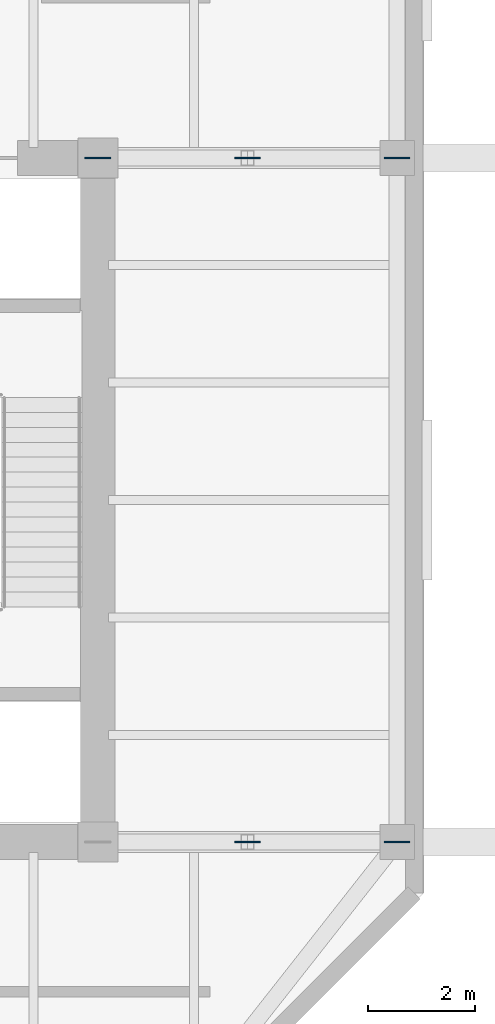
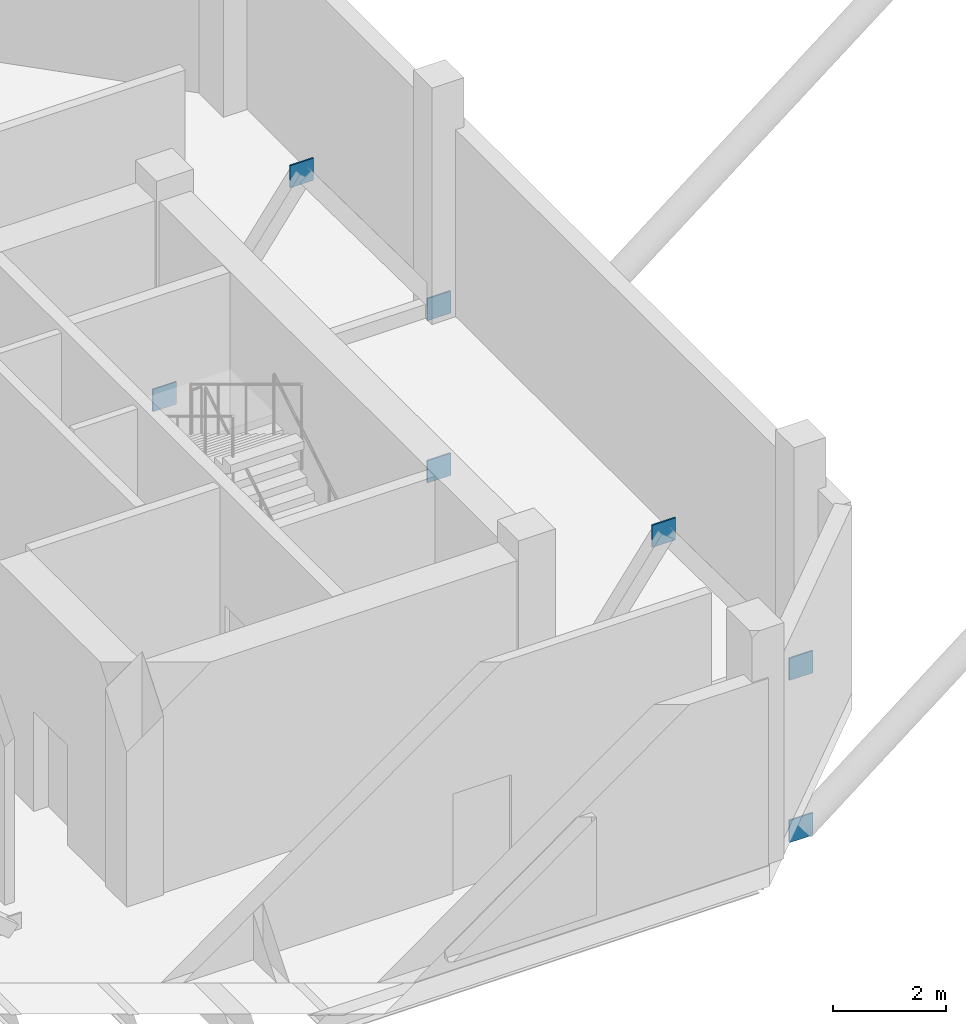
# One storey, part 4 of 9: 7 plates.
"""IFC4 building model written with IfcOpenShell, lengths in metres."""

from ifc_helpers import new_model, si_unit, direction, frame, origin, origin_2d, place, context, subcontext, project, spatial, rectangle, extrude, material, layer, layer_set, type_object, element, save


model = new_model("IFC4")

# Units and contexts
model_context = context("Model", 3, precision=1e-05, world=origin(), true_north=direction((0.0, 1.0)))
body_context = subcontext(model_context, "Body", "Model", "MODEL_VIEW")
ifc_project = project(units=[si_unit("LENGTHUNIT", "METRE"), si_unit("AREAUNIT", "SQUARE_METRE"), si_unit("VOLUMEUNIT", "CUBIC_METRE"), si_unit("PLANEANGLEUNIT", "RADIAN"), si_unit("MASSUNIT", "GRAM", prefix="KILO")], contexts=[model_context])

# Site, building, storey
site_placement = place(None, origin())
site = spatial("IfcSite", under=ifc_project, at=site_placement, CompositionType="ELEMENT")
building_placement = place(site_placement, origin())
building = spatial("IfcBuilding", under=site, at=building_placement, Name="Kranthara Brick Stack", CompositionType="ELEMENT")
storey_placement = place(building_placement, frame((0.0, 0.0, 282.300048828125)))
storey = spatial("IfcBuildingStorey", under=building, at=storey_placement, Name="L75", CompositionType="ELEMENT", Elevation=282.300048828125)

# Plates
ifc_material = material(Name="Steel S355", Category="steel")
ifc_layer = layer(ifc_material, 0.030029296875)
ifc_layer_set = layer_set([ifc_layer], Name="Steel S355")
plate_type = type_object("IfcPlateType", Name="PLT-GUSSET-30", PredefinedType="USERDEFINED", material=ifc_layer_set)
for number, where, z_axis, x_axis, name in (
    (1, (48.800048828125, 20.800048828125, -3.64013671875), (0.0, 0.0, 1.0), (1.0, 0.0, 0.0), "L75 Brace and Strut End Connection Gusset Plate 131"),
    (2, (48.800048828125, 33.60009765625, -3.64013671875), (0.0, 0.0, 1.0), (1.0, 0.0, 0.0), "L75 Brace and Strut End Connection Gusset Plate 132"),
    (3, (46.0, 20.800048828125, 3.7099609375), (0.0, 0.0, 1.0), (1.0, 0.0, 0.0), "L75 Brace and Strut End Connection Gusset Plate 185"),
    (4, (43.199951171875, 33.60009765625, -0.14013671875), (0.0, 0.0, 1.0), (1.0, 0.0, 0.0), "L75 Brace and Strut End Connection Gusset Plate 186"),
    (5, (46.0, 33.60009765625, 3.7099609375), (0.0, 0.0, 1.0), (1.0, 0.0, 0.0), "L75 Brace and Strut End Connection Gusset Plate 187"),
    (6, (48.800048828125, 20.800048828125, -0.14013671875), (0.0, 0.0, 1.0), (1.0, 0.0, 0.0), "L75 Brace and Strut End Connection Gusset Plate 190"),
    (7, (48.800048828125, 33.60009765625, -0.14013671875), (0.0, 0.0, 1.0), (1.0, 0.0, 0.0), "L75 Brace and Strut End Connection Gusset Plate 191"),
):
    element("IfcPlate", number, at=place(storey_placement, frame(where, z_axis=z_axis, x_axis=x_axis)), inside=storey, type_object=plate_type, Name=name, ObjectType="GUSSET PLATE", PredefinedType="USERDEFINED", context=body_context, shape_type="SweptSolid", body=[
        extrude(rectangle(XDim=0.47998046875, YDim=0.030029296875, at=origin_2d()), origin(), (0.0, 0.0, 1.0), 0.47998046875),
    ])

save(model, "model.ifc")
